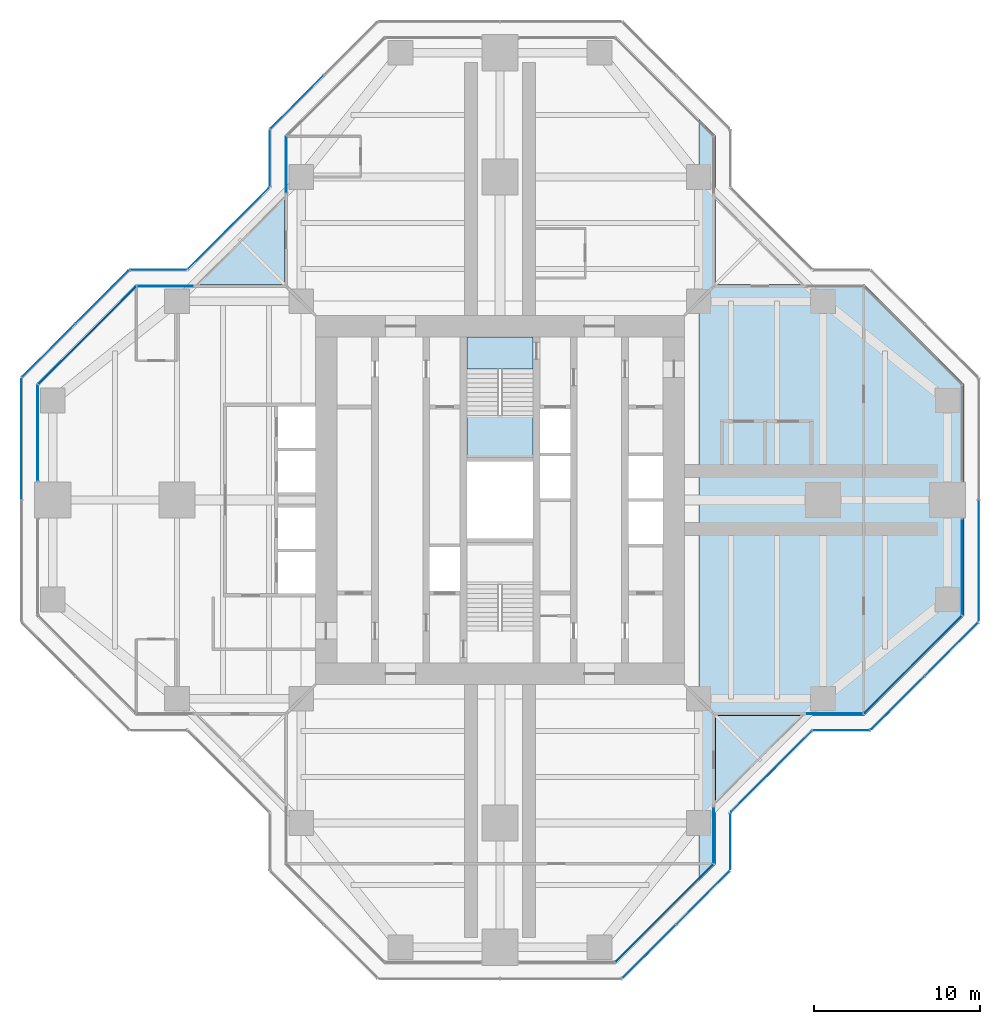
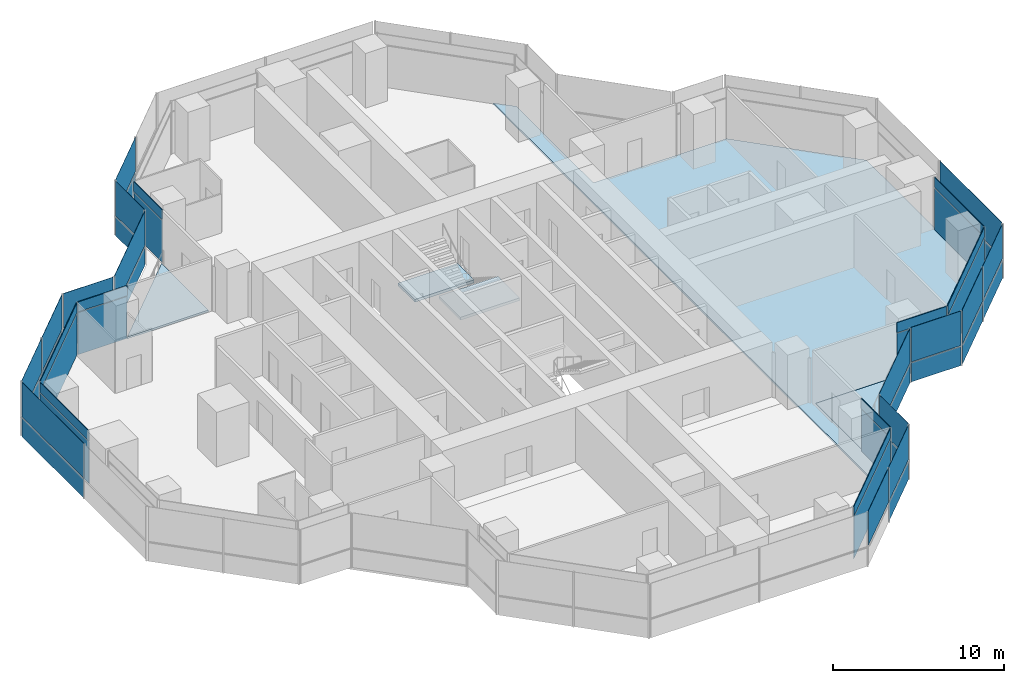
# One storey, part 11 of 17: 47 plates, 5 slabs, 22 elements without a shape of their own.
"""IFC4 building model written with IfcOpenShell, lengths in metres."""

from ifc_helpers import new_model, si_unit, direction, frame, origin, origin_2d, place, context, subcontext, project, spatial, polyline, rectangle, outline, extrude, material, layer, layer_set, type_object, element, aggregate, save


model = new_model("IFC4")

# Units and contexts
model_context = context("Model", 3, precision=1e-05, world=origin(), true_north=direction((0.0, 1.0)))
body_context = subcontext(model_context, "Body", "Model", "MODEL_VIEW")
ifc_project = project(units=[si_unit("LENGTHUNIT", "METRE"), si_unit("AREAUNIT", "SQUARE_METRE"), si_unit("VOLUMEUNIT", "CUBIC_METRE"), si_unit("PLANEANGLEUNIT", "RADIAN"), si_unit("MASSUNIT", "GRAM", prefix="KILO")], contexts=[model_context])

# Site, building, storey
site_placement = place(None, origin())
site = spatial("IfcSite", under=ifc_project, at=site_placement, CompositionType="ELEMENT")
building_placement = place(site_placement, origin())
building = spatial("IfcBuilding", under=site, at=building_placement, Name="Mizan Broadcast Tower", CompositionType="ELEMENT")
storey_placement = place(building_placement, frame((0.0, 0.0, 208.800048828125)))
storey = spatial("IfcBuildingStorey", under=building, at=storey_placement, Name="L48", CompositionType="ELEMENT", Elevation=208.800048828125)

# Slab
ifc_material_1 = material(Name="Concrete C32/40", Category="concrete")
ifc_layer_1 = layer(ifc_material_1, 0.1298828125)
ifc_layer_set_1 = layer_set([ifc_layer_1], Name="Concrete C32/40")
slab_type_1 = type_object("IfcSlabType", Name="COMPOSITE DECK SLAB 130", PredefinedType="FLOOR", material=ifc_layer_set_1)
slab_1_placement = place(storey_placement, frame((0.0, 0.0, -0.130126953125)))
element("IfcSlab", 1, at=slab_1_placement, inside=storey, type_object=slab_type_1, Name="Floor slab L48 east arm", PredefinedType="FLOOR", context=body_context, shape_type="SweptSolid", body=[
    extrude(outline(polyline([(13.0, 22.0), (12.0, 23.0), (12.0, -23.0), (13.0, -22.0), (13.0, -13.0), (22.0, -13.0), (28.0, -7.0), (28.0, 7.0), (22.0, 13.0), (13.0, 13.0), (13.0, 22.0)])), origin(), (0.0, 0.0, 1.0), 0.130126953125),
])

# Curtain wall, plate
ifc_material_2 = material(Name="Aluminium framed glazing", Category="aluminium")
curtain_wall_type_1 = type_object("IfcCurtainWallType", Name="INNER SKIN HIGH ZONE", PredefinedType="USERDEFINED", material=ifc_material_2)
curtain_wall_1_placement = place(storey_placement, origin())
curtain_wall_1 = element("IfcCurtainWall", 2, at=curtain_wall_1_placement, inside=storey, type_object=curtain_wall_type_1, Name="Inner skin high zone L48 E side", ObjectType="INNER SKIN HIGH ZONE", PredefinedType="USERDEFINED")
ifc_material_3 = material(Name="Double glazing, clear low-e", Category="glass")
ifc_layer_2 = layer(ifc_material_3, 0.028076171875)
ifc_layer_set_2 = layer_set([ifc_layer_2], Name="Double glazing, clear low-e")
plate_type_1 = type_object("IfcPlateType", Name="INNER SKIN GLAZING UNIT", PredefinedType="CURTAIN_PANEL", material=ifc_layer_set_2)
plate_1_placement = place(storey_placement, frame((20.229248046875, -12.89990234375, 0.0), z_axis=(0.0, 0.0, 1.0), x_axis=(1.0, 0.0, 0.0)))
plate_1 = element("IfcPlate", 3, at=plate_1_placement, type_object=plate_type_1, Name="Inner skin high zone L48 E side panel 1.1", PredefinedType="CURTAIN_PANEL", context=body_context, shape_type="SweptSolid", body=[
    extrude(rectangle(XDim=3.338623046875, YDim=0.028076171875, at=origin_2d()), origin(), (0.0, 0.0, 1.0), 3.0),
])

curtain_wall_2_placement = place(storey_placement, origin())
curtain_wall_2 = element("IfcCurtainWall", 4, at=curtain_wall_2_placement, inside=storey, type_object=curtain_wall_type_1, Name="Inner skin high zone L48 E chamfer", ObjectType="INNER SKIN HIGH ZONE", PredefinedType="USERDEFINED")
plate_2_placement = place(storey_placement, frame((24.92919921875, -9.92919921875, 0.0), z_axis=(0.0, 0.0, 1.0), x_axis=(0.707106781187, 0.707106781187, 0.0)))
plate_2 = element("IfcPlate", 5, at=plate_2_placement, type_object=plate_type_1, Name="Inner skin high zone L48 E chamfer panel 1.1", PredefinedType="CURTAIN_PANEL", context=body_context, shape_type="SweptSolid", body=[
    extrude(rectangle(XDim=8.282470703125, YDim=0.028076171875, at=origin_2d()), origin(), (0.0, 0.0, 1.0), 3.0),
])

curtain_wall_3_placement = place(storey_placement, origin())
curtain_wall_3 = element("IfcCurtainWall", 6, at=curtain_wall_3_placement, inside=storey, type_object=curtain_wall_type_1, Name="Inner skin high zone L48 E end", ObjectType="INNER SKIN HIGH ZONE", PredefinedType="USERDEFINED")
plate_3_placement = place(storey_placement, frame((27.89990234375, -4.029296875, 0.0), z_axis=(0.0, 0.0, 1.0), x_axis=(0.0, 1.0, 0.0)))
plate_3 = element("IfcPlate", 7, at=plate_3_placement, type_object=plate_type_1, Name="Inner skin high zone L48 E end panel 1.1", PredefinedType="CURTAIN_PANEL", context=body_context, shape_type="SweptSolid", body=[
    extrude(rectangle(XDim=5.738525390625, YDim=0.028076171875, at=origin_2d()), origin(), (0.0, 0.0, 1.0), 3.0),
])

curtain_wall_4_placement = place(storey_placement, origin())
curtain_wall_4 = element("IfcCurtainWall", 8, at=curtain_wall_4_placement, inside=storey, type_object=curtain_wall_type_1, Name="Inner skin high zone L48 N side", ObjectType="INNER SKIN HIGH ZONE", PredefinedType="USERDEFINED")
plate_4_placement = place(storey_placement, frame((-12.89990234375, 20.229248046875, 0.0), z_axis=(0.0, 0.0, 1.0), x_axis=(0.0, -1.0, 0.0)))
plate_4 = element("IfcPlate", 9, at=plate_4_placement, type_object=plate_type_1, Name="Inner skin high zone L48 N side panel 1.1", PredefinedType="CURTAIN_PANEL", context=body_context, shape_type="SweptSolid", body=[
    extrude(rectangle(XDim=3.338623046875, YDim=0.028076171875, at=origin_2d()), origin(), (0.0, 0.0, 1.0), 3.0),
])

curtain_wall_5_placement = place(storey_placement, origin())
curtain_wall_5 = element("IfcCurtainWall", 10, at=curtain_wall_5_placement, inside=storey, type_object=curtain_wall_type_1, Name="Inner skin high zone L48 W side", ObjectType="INNER SKIN HIGH ZONE", PredefinedType="USERDEFINED")
plate_5_placement = place(storey_placement, frame((-20.229248046875, 12.89990234375, 0.0), z_axis=(0.0, 0.0, 1.0), x_axis=(-1.0, 0.0, 0.0)))
plate_5 = element("IfcPlate", 11, at=plate_5_placement, type_object=plate_type_1, Name="Inner skin high zone L48 W side panel 1.1", PredefinedType="CURTAIN_PANEL", context=body_context, shape_type="SweptSolid", body=[
    extrude(rectangle(XDim=3.338623046875, YDim=0.028076171875, at=origin_2d()), origin(), (0.0, 0.0, 1.0), 3.0),
])

curtain_wall_6_placement = place(storey_placement, origin())
curtain_wall_6 = element("IfcCurtainWall", 12, at=curtain_wall_6_placement, inside=storey, type_object=curtain_wall_type_1, Name="Inner skin high zone L48 W chamfer", ObjectType="INNER SKIN HIGH ZONE", PredefinedType="USERDEFINED")
plate_6_placement = place(storey_placement, frame((-24.92919921875, 9.92919921875, 0.0), z_axis=(0.0, 0.0, 1.0), x_axis=(-0.707106781187, -0.707106781187, 0.0)))
plate_6 = element("IfcPlate", 13, at=plate_6_placement, type_object=plate_type_1, Name="Inner skin high zone L48 W chamfer panel 1.1", PredefinedType="CURTAIN_PANEL", context=body_context, shape_type="SweptSolid", body=[
    extrude(rectangle(XDim=8.282470703125, YDim=0.028076171875, at=origin_2d()), origin(), (0.0, 0.0, 1.0), 3.0),
])

curtain_wall_7_placement = place(storey_placement, origin())
curtain_wall_7 = element("IfcCurtainWall", 14, at=curtain_wall_7_placement, inside=storey, type_object=curtain_wall_type_1, Name="Inner skin high zone L48 W end", ObjectType="INNER SKIN HIGH ZONE", PredefinedType="USERDEFINED")
plate_7_placement = place(storey_placement, frame((-27.89990234375, 4.029296875, 0.0), z_axis=(0.0, 0.0, 1.0), x_axis=(0.0, -1.0, 0.0)))
plate_7 = element("IfcPlate", 15, at=plate_7_placement, type_object=plate_type_1, Name="Inner skin high zone L48 W end panel 1.1", PredefinedType="CURTAIN_PANEL", context=body_context, shape_type="SweptSolid", body=[
    extrude(rectangle(XDim=5.738525390625, YDim=0.028076171875, at=origin_2d()), origin(), (0.0, 0.0, 1.0), 3.0),
])

curtain_wall_8_placement = place(storey_placement, origin())
curtain_wall_8 = element("IfcCurtainWall", 16, at=curtain_wall_8_placement, inside=storey, type_object=curtain_wall_type_1, Name="Inner skin high zone L48 S chamfer", ObjectType="INNER SKIN HIGH ZONE", PredefinedType="USERDEFINED")
plate_8_placement = place(storey_placement, frame((9.92919921875, -24.92919921875, 0.0), z_axis=(0.0, 0.0, 1.0), x_axis=(0.707106781187, 0.707106781187, 0.0)))
plate_8 = element("IfcPlate", 17, at=plate_8_placement, type_object=plate_type_1, Name="Inner skin high zone L48 S chamfer panel 1.1", PredefinedType="CURTAIN_PANEL", context=body_context, shape_type="SweptSolid", body=[
    extrude(rectangle(XDim=8.282470703125, YDim=0.028076171875, at=origin_2d()), origin(), (0.0, 0.0, 1.0), 3.0),
])

curtain_wall_9_placement = place(storey_placement, origin())
curtain_wall_9 = element("IfcCurtainWall", 18, at=curtain_wall_9_placement, inside=storey, type_object=curtain_wall_type_1, Name="Inner skin high zone L48 S side", ObjectType="INNER SKIN HIGH ZONE", PredefinedType="USERDEFINED")
plate_9_placement = place(storey_placement, frame((12.89990234375, -20.229248046875, 0.0), z_axis=(0.0, 0.0, 1.0), x_axis=(0.0, 1.0, 0.0)))
plate_9 = element("IfcPlate", 19, at=plate_9_placement, type_object=plate_type_1, Name="Inner skin high zone L48 S side panel 1.1", PredefinedType="CURTAIN_PANEL", context=body_context, shape_type="SweptSolid", body=[
    extrude(rectangle(XDim=3.338623046875, YDim=0.028076171875, at=origin_2d()), origin(), (0.0, 0.0, 1.0), 3.0),
])

# Plate
ifc_material_4 = material(Name="Insulated aluminium spandrel panel, pale anodised", Category="aluminium")
ifc_layer_3 = layer(ifc_material_4, 0.050048828125)
ifc_layer_set_3 = layer_set([ifc_layer_3], Name="Insulated aluminium spandrel panel, pale anodised")
plate_type_2 = type_object("IfcPlateType", Name="INNER SKIN SPANDREL PANEL", PredefinedType="CURTAIN_PANEL", material=ifc_layer_set_3)
plate_10_placement = place(storey_placement, frame((20.229248046875, -12.89990234375, 3.06005859375), z_axis=(0.0, 0.0, 1.0), x_axis=(1.0, 0.0, 0.0)))
plate_10 = element("IfcPlate", 20, at=plate_10_placement, type_object=plate_type_2, Name="Inner skin high zone L48 E side panel 1.2", PredefinedType="CURTAIN_PANEL", context=body_context, shape_type="SweptSolid", body=[
    extrude(rectangle(XDim=3.338623046875, YDim=0.050048828125, at=origin_2d()), origin(), (0.0, 0.0, 1.0), 0.7099609375),
])

aggregate(curtain_wall_1, [plate_1, plate_10])

plate_11_placement = place(storey_placement, frame((24.92919921875, -9.92919921875, 3.06005859375), z_axis=(0.0, 0.0, 1.0), x_axis=(0.707106781187, 0.707106781187, 0.0)))
plate_11 = element("IfcPlate", 21, at=plate_11_placement, type_object=plate_type_2, Name="Inner skin high zone L48 E chamfer panel 1.2", PredefinedType="CURTAIN_PANEL", context=body_context, shape_type="SweptSolid", body=[
    extrude(rectangle(XDim=8.282470703125, YDim=0.050048828125, at=origin_2d()), origin(), (0.0, 0.0, 1.0), 0.7099609375),
])

aggregate(curtain_wall_2, [plate_2, plate_11])

plate_12_placement = place(storey_placement, frame((27.89990234375, -4.029296875, 3.06005859375), z_axis=(0.0, 0.0, 1.0), x_axis=(0.0, 1.0, 0.0)))
plate_12 = element("IfcPlate", 22, at=plate_12_placement, type_object=plate_type_2, Name="Inner skin high zone L48 E end panel 1.2", PredefinedType="CURTAIN_PANEL", context=body_context, shape_type="SweptSolid", body=[
    extrude(rectangle(XDim=5.738525390625, YDim=0.050048828125, at=origin_2d()), origin(), (0.0, 0.0, 1.0), 0.7099609375),
])

aggregate(curtain_wall_3, [plate_3, plate_12])

plate_13_placement = place(storey_placement, frame((-12.89990234375, 20.229248046875, 3.06005859375), z_axis=(0.0, 0.0, 1.0), x_axis=(0.0, -1.0, 0.0)))
plate_13 = element("IfcPlate", 23, at=plate_13_placement, type_object=plate_type_2, Name="Inner skin high zone L48 N side panel 1.2", PredefinedType="CURTAIN_PANEL", context=body_context, shape_type="SweptSolid", body=[
    extrude(rectangle(XDim=3.338623046875, YDim=0.050048828125, at=origin_2d()), origin(), (0.0, 0.0, 1.0), 0.7099609375),
])

aggregate(curtain_wall_4, [plate_4, plate_13])

plate_14_placement = place(storey_placement, frame((-20.229248046875, 12.89990234375, 3.06005859375), z_axis=(0.0, 0.0, 1.0), x_axis=(-1.0, 0.0, 0.0)))
plate_14 = element("IfcPlate", 24, at=plate_14_placement, type_object=plate_type_2, Name="Inner skin high zone L48 W side panel 1.2", PredefinedType="CURTAIN_PANEL", context=body_context, shape_type="SweptSolid", body=[
    extrude(rectangle(XDim=3.338623046875, YDim=0.050048828125, at=origin_2d()), origin(), (0.0, 0.0, 1.0), 0.7099609375),
])

aggregate(curtain_wall_5, [plate_5, plate_14])

plate_15_placement = place(storey_placement, frame((-24.92919921875, 9.92919921875, 3.06005859375), z_axis=(0.0, 0.0, 1.0), x_axis=(-0.707106781187, -0.707106781187, 0.0)))
plate_15 = element("IfcPlate", 25, at=plate_15_placement, type_object=plate_type_2, Name="Inner skin high zone L48 W chamfer panel 1.2", PredefinedType="CURTAIN_PANEL", context=body_context, shape_type="SweptSolid", body=[
    extrude(rectangle(XDim=8.282470703125, YDim=0.050048828125, at=origin_2d()), origin(), (0.0, 0.0, 1.0), 0.7099609375),
])

aggregate(curtain_wall_6, [plate_6, plate_15])

plate_16_placement = place(storey_placement, frame((-27.89990234375, 4.029296875, 3.06005859375), z_axis=(0.0, 0.0, 1.0), x_axis=(0.0, -1.0, 0.0)))
plate_16 = element("IfcPlate", 26, at=plate_16_placement, type_object=plate_type_2, Name="Inner skin high zone L48 W end panel 1.2", PredefinedType="CURTAIN_PANEL", context=body_context, shape_type="SweptSolid", body=[
    extrude(rectangle(XDim=5.738525390625, YDim=0.050048828125, at=origin_2d()), origin(), (0.0, 0.0, 1.0), 0.7099609375),
])

aggregate(curtain_wall_7, [plate_7, plate_16])

plate_17_placement = place(storey_placement, frame((9.92919921875, -24.92919921875, 3.06005859375), z_axis=(0.0, 0.0, 1.0), x_axis=(0.707106781187, 0.707106781187, 0.0)))
plate_17 = element("IfcPlate", 27, at=plate_17_placement, type_object=plate_type_2, Name="Inner skin high zone L48 S chamfer panel 1.2", PredefinedType="CURTAIN_PANEL", context=body_context, shape_type="SweptSolid", body=[
    extrude(rectangle(XDim=8.282470703125, YDim=0.050048828125, at=origin_2d()), origin(), (0.0, 0.0, 1.0), 0.7099609375),
])

aggregate(curtain_wall_8, [plate_8, plate_17])

plate_18_placement = place(storey_placement, frame((12.89990234375, -20.229248046875, 3.06005859375), z_axis=(0.0, 0.0, 1.0), x_axis=(0.0, 1.0, 0.0)))
plate_18 = element("IfcPlate", 28, at=plate_18_placement, type_object=plate_type_2, Name="Inner skin high zone L48 S side panel 1.2", PredefinedType="CURTAIN_PANEL", context=body_context, shape_type="SweptSolid", body=[
    extrude(rectangle(XDim=3.338623046875, YDim=0.050048828125, at=origin_2d()), origin(), (0.0, 0.0, 1.0), 0.7099609375),
])

aggregate(curtain_wall_9, [plate_9, plate_18])

# Curtain wall, plates
ifc_material_5 = material(Name="Aluminium framed glazing", Category="aluminium")
curtain_wall_type_2 = type_object("IfcCurtainWallType", Name="OUTER SKIN", PredefinedType="USERDEFINED", material=ifc_material_5)
curtain_wall_10_placement = place(storey_placement, origin())
curtain_wall_10 = element("IfcCurtainWall", 29, at=curtain_wall_10_placement, inside=storey, type_object=curtain_wall_type_2, Name="Outer skin L48 E chamfer", ObjectType="OUTER SKIN", PredefinedType="USERDEFINED")
ifc_material_6 = material(Name="Laminated clear glass", Category="glass")
ifc_layer_4 = layer(ifc_material_6, 0.02001953125)
ifc_layer_set_4 = layer_set([ifc_layer_4], Name="Laminated clear glass")
plate_type_3 = type_object("IfcPlateType", Name="OUTER SKIN CLEAR GLASS", PredefinedType="CURTAIN_PANEL", material=ifc_layer_set_4)
plate_19_placement = place(storey_placement, frame((24.018798828125, -12.254150390625, 0.0), z_axis=(0.0, 0.0, 1.0), x_axis=(0.707106781187, 0.707106781187, 0.0)))
plate_19 = element("IfcPlate", 30, at=plate_19_placement, type_object=plate_type_3, Name="Outer skin L48 E chamfer panel 1.1", PredefinedType="CURTAIN_PANEL", context=body_context, shape_type="SweptSolid", body=[
    extrude(rectangle(XDim=4.495361328125, YDim=0.02001953125, at=origin_2d()), origin(), (0.0, 0.0, 1.0), 1.3701171875),
])
plate_20_placement = place(storey_placement, frame((24.018798828125, -12.254150390625, 1.43017578125), z_axis=(0.0, 0.0, 1.0), x_axis=(0.707106781187, 0.707106781187, 0.0)))
plate_20 = element("IfcPlate", 31, at=plate_20_placement, type_object=plate_type_3, Name="Outer skin L48 E chamfer panel 1.2", PredefinedType="CURTAIN_PANEL", context=body_context, shape_type="SweptSolid", body=[
    extrude(rectangle(XDim=4.495361328125, YDim=0.02001953125, at=origin_2d()), origin(), (0.0, 0.0, 1.0), 2.469970703125),
])

curtain_wall_11_placement = place(storey_placement, origin())
curtain_wall_11 = element("IfcCurtainWall", 32, at=curtain_wall_11_placement, inside=storey, type_object=curtain_wall_type_2, Name="Outer skin L48 E end", ObjectType="OUTER SKIN", PredefinedType="USERDEFINED")
plate_21_placement = place(storey_placement, frame((28.89990234375, -3.66650390625, 0.0), z_axis=(0.0, 0.0, 1.0), x_axis=(0.0, 1.0, 0.0)))
plate_21 = element("IfcPlate", 33, at=plate_21_placement, type_object=plate_type_3, Name="Outer skin L48 E end panel 1.1", PredefinedType="CURTAIN_PANEL", context=body_context, shape_type="SweptSolid", body=[
    extrude(rectangle(XDim=7.252685546875, YDim=0.02001953125, at=origin_2d()), origin(), (0.0, 0.0, 1.0), 1.3701171875),
])
plate_22_placement = place(storey_placement, frame((28.89990234375, -3.66650390625, 1.43017578125), z_axis=(0.0, 0.0, 1.0), x_axis=(0.0, 1.0, 0.0)))
plate_22 = element("IfcPlate", 34, at=plate_22_placement, type_object=plate_type_3, Name="Outer skin L48 E end panel 1.2", PredefinedType="CURTAIN_PANEL", context=body_context, shape_type="SweptSolid", body=[
    extrude(rectangle(XDim=7.252685546875, YDim=0.02001953125, at=origin_2d()), origin(), (0.0, 0.0, 1.0), 2.469970703125),
])
aggregate(curtain_wall_11, [plate_21, plate_22])

curtain_wall_12_placement = place(storey_placement, origin())
curtain_wall_12 = element("IfcCurtainWall", 35, at=curtain_wall_12_placement, inside=storey, type_object=curtain_wall_type_2, Name="Outer skin L48 N side", ObjectType="OUTER SKIN", PredefinedType="USERDEFINED")
plate_23_placement = place(storey_placement, frame((-13.89990234375, 20.622802734375, 0.0), z_axis=(0.0, 0.0, 1.0), x_axis=(0.0, -1.0, 0.0)))
plate_23 = element("IfcPlate", 36, at=plate_23_placement, type_object=plate_type_3, Name="Outer skin L48 N side panel 1.1", PredefinedType="CURTAIN_PANEL", context=body_context, shape_type="SweptSolid", body=[
    extrude(rectangle(XDim=3.340087890625, YDim=0.02001953125, at=origin_2d()), origin(), (0.0, 0.0, 1.0), 1.3701171875),
])
plate_24_placement = place(storey_placement, frame((-13.89990234375, 20.622802734375, 1.43017578125), z_axis=(0.0, 0.0, 1.0), x_axis=(0.0, -1.0, 0.0)))
plate_24 = element("IfcPlate", 37, at=plate_24_placement, type_object=plate_type_3, Name="Outer skin L48 N side panel 1.2", PredefinedType="CURTAIN_PANEL", context=body_context, shape_type="SweptSolid", body=[
    extrude(rectangle(XDim=3.340087890625, YDim=0.02001953125, at=origin_2d()), origin(), (0.0, 0.0, 1.0), 2.469970703125),
])
aggregate(curtain_wall_12, [plate_23, plate_24])

curtain_wall_13_placement = place(storey_placement, origin())
curtain_wall_13 = element("IfcCurtainWall", 38, at=curtain_wall_13_placement, inside=storey, type_object=curtain_wall_type_2, Name="Outer skin L48 W chamfer", ObjectType="OUTER SKIN", PredefinedType="USERDEFINED")
plate_25_placement = place(storey_placement, frame((-16.386474609375, 16.386474609375, 0.0), z_axis=(0.0, 0.0, 1.0), x_axis=(-0.707106781187, -0.707106781187, 0.0)))
plate_25 = element("IfcPlate", 39, at=plate_25_placement, type_object=plate_type_3, Name="Outer skin L48 W chamfer panel 1.1", PredefinedType="CURTAIN_PANEL", context=body_context, shape_type="SweptSolid", body=[
    extrude(rectangle(XDim=6.87255859375, YDim=0.02001953125, at=origin_2d()), origin(), (0.0, 0.0, 1.0), 1.3701171875),
])
plate_26_placement = place(storey_placement, frame((-16.386474609375, 16.386474609375, 1.43017578125), z_axis=(0.0, 0.0, 1.0), x_axis=(-0.707106781187, -0.707106781187, 0.0)))
plate_26 = element("IfcPlate", 40, at=plate_26_placement, type_object=plate_type_3, Name="Outer skin L48 W chamfer panel 1.2", PredefinedType="CURTAIN_PANEL", context=body_context, shape_type="SweptSolid", body=[
    extrude(rectangle(XDim=6.87255859375, YDim=0.02001953125, at=origin_2d()), origin(), (0.0, 0.0, 1.0), 2.469970703125),
])
aggregate(curtain_wall_13, [plate_25, plate_26])

curtain_wall_14_placement = place(storey_placement, origin())
curtain_wall_14 = element("IfcCurtainWall", 41, at=curtain_wall_14_placement, inside=storey, type_object=curtain_wall_type_2, Name="Outer skin L48 W side", ObjectType="OUTER SKIN", PredefinedType="USERDEFINED")
plate_27_placement = place(storey_placement, frame((-20.622802734375, 13.89990234375, 0.0), z_axis=(0.0, 0.0, 1.0), x_axis=(-1.0, 0.0, 0.0)))
plate_27 = element("IfcPlate", 42, at=plate_27_placement, type_object=plate_type_3, Name="Outer skin L48 W side panel 1.1", PredefinedType="CURTAIN_PANEL", context=body_context, shape_type="SweptSolid", body=[
    extrude(rectangle(XDim=3.340087890625, YDim=0.02001953125, at=origin_2d()), origin(), (0.0, 0.0, 1.0), 1.3701171875),
])
plate_28_placement = place(storey_placement, frame((-20.622802734375, 13.89990234375, 1.43017578125), z_axis=(0.0, 0.0, 1.0), x_axis=(-1.0, 0.0, 0.0)))
plate_28 = element("IfcPlate", 43, at=plate_28_placement, type_object=plate_type_3, Name="Outer skin L48 W side panel 1.2", PredefinedType="CURTAIN_PANEL", context=body_context, shape_type="SweptSolid", body=[
    extrude(rectangle(XDim=3.340087890625, YDim=0.02001953125, at=origin_2d()), origin(), (0.0, 0.0, 1.0), 2.469970703125),
])
aggregate(curtain_wall_14, [plate_27, plate_28])

curtain_wall_15_placement = place(storey_placement, origin())
curtain_wall_15 = element("IfcCurtainWall", 44, at=curtain_wall_15_placement, inside=storey, type_object=curtain_wall_type_2, Name="Outer skin L48 W chamfer", ObjectType="OUTER SKIN", PredefinedType="USERDEFINED")
plate_29_placement = place(storey_placement, frame((-24.018798828125, 12.254150390625, 0.0), z_axis=(0.0, 0.0, 1.0), x_axis=(-0.707106781187, -0.707106781187, 0.0)))
plate_29 = element("IfcPlate", 45, at=plate_29_placement, type_object=plate_type_3, Name="Outer skin L48 W chamfer panel 1.1", PredefinedType="CURTAIN_PANEL", context=body_context, shape_type="SweptSolid", body=[
    extrude(rectangle(XDim=4.495361328125, YDim=0.02001953125, at=origin_2d()), origin(), (0.0, 0.0, 1.0), 1.3701171875),
])
plate_30_placement = place(storey_placement, frame((-24.018798828125, 12.254150390625, 1.43017578125), z_axis=(0.0, 0.0, 1.0), x_axis=(-0.707106781187, -0.707106781187, 0.0)))
plate_30 = element("IfcPlate", 46, at=plate_30_placement, type_object=plate_type_3, Name="Outer skin L48 W chamfer panel 1.2", PredefinedType="CURTAIN_PANEL", context=body_context, shape_type="SweptSolid", body=[
    extrude(rectangle(XDim=4.495361328125, YDim=0.02001953125, at=origin_2d()), origin(), (0.0, 0.0, 1.0), 2.469970703125),
])

curtain_wall_16_placement = place(storey_placement, origin())
curtain_wall_16 = element("IfcCurtainWall", 47, at=curtain_wall_16_placement, inside=storey, type_object=curtain_wall_type_2, Name="Outer skin L48 W end", ObjectType="OUTER SKIN", PredefinedType="USERDEFINED")
plate_31_placement = place(storey_placement, frame((-28.89990234375, 3.66650390625, 0.0), z_axis=(0.0, 0.0, 1.0), x_axis=(0.0, -1.0, 0.0)))
plate_31 = element("IfcPlate", 48, at=plate_31_placement, type_object=plate_type_3, Name="Outer skin L48 W end panel 1.1", PredefinedType="CURTAIN_PANEL", context=body_context, shape_type="SweptSolid", body=[
    extrude(rectangle(XDim=7.252685546875, YDim=0.02001953125, at=origin_2d()), origin(), (0.0, 0.0, 1.0), 1.3701171875),
])
plate_32_placement = place(storey_placement, frame((-28.89990234375, 3.66650390625, 1.43017578125), z_axis=(0.0, 0.0, 1.0), x_axis=(0.0, -1.0, 0.0)))
plate_32 = element("IfcPlate", 49, at=plate_32_placement, type_object=plate_type_3, Name="Outer skin L48 W end panel 1.2", PredefinedType="CURTAIN_PANEL", context=body_context, shape_type="SweptSolid", body=[
    extrude(rectangle(XDim=7.252685546875, YDim=0.02001953125, at=origin_2d()), origin(), (0.0, 0.0, 1.0), 2.469970703125),
])
aggregate(curtain_wall_16, [plate_31, plate_32])

# Curtain wall, plate
curtain_wall_17_placement = place(storey_placement, origin())
curtain_wall_17 = element("IfcCurtainWall", 50, at=curtain_wall_17_placement, inside=storey, type_object=curtain_wall_type_2, Name="Outer skin L48 S chamfer", ObjectType="OUTER SKIN", PredefinedType="USERDEFINED")
plate_33_placement = place(storey_placement, frame((9.018798828125, -27.254150390625, 1.43017578125), z_axis=(0.0, 0.0, 1.0), x_axis=(0.707106781187, 0.707106781187, 0.0)))
plate_33 = element("IfcPlate", 51, at=plate_33_placement, type_object=plate_type_3, Name="Outer skin L48 S chamfer panel 1.2", PredefinedType="CURTAIN_PANEL", context=body_context, shape_type="SweptSolid", body=[
    extrude(rectangle(XDim=4.495361328125, YDim=0.02001953125, at=origin_2d()), origin(), (0.0, 0.0, 1.0), 2.469970703125),
])

# Curtain wall, plates
curtain_wall_18_placement = place(storey_placement, origin())
curtain_wall_18 = element("IfcCurtainWall", 52, at=curtain_wall_18_placement, inside=storey, type_object=curtain_wall_type_2, Name="Outer skin L48 S side", ObjectType="OUTER SKIN", PredefinedType="USERDEFINED")
plate_34_placement = place(storey_placement, frame((13.89990234375, -20.622802734375, 0.0), z_axis=(0.0, 0.0, 1.0), x_axis=(0.0, 1.0, 0.0)))
plate_34 = element("IfcPlate", 53, at=plate_34_placement, type_object=plate_type_3, Name="Outer skin L48 S side panel 1.1", PredefinedType="CURTAIN_PANEL", context=body_context, shape_type="SweptSolid", body=[
    extrude(rectangle(XDim=3.340087890625, YDim=0.02001953125, at=origin_2d()), origin(), (0.0, 0.0, 1.0), 1.3701171875),
])
plate_35_placement = place(storey_placement, frame((13.89990234375, -20.622802734375, 1.43017578125), z_axis=(0.0, 0.0, 1.0), x_axis=(0.0, 1.0, 0.0)))
plate_35 = element("IfcPlate", 54, at=plate_35_placement, type_object=plate_type_3, Name="Outer skin L48 S side panel 1.2", PredefinedType="CURTAIN_PANEL", context=body_context, shape_type="SweptSolid", body=[
    extrude(rectangle(XDim=3.340087890625, YDim=0.02001953125, at=origin_2d()), origin(), (0.0, 0.0, 1.0), 2.469970703125),
])
aggregate(curtain_wall_18, [plate_34, plate_35])

curtain_wall_19_placement = place(storey_placement, origin())
curtain_wall_19 = element("IfcCurtainWall", 55, at=curtain_wall_19_placement, inside=storey, type_object=curtain_wall_type_2, Name="Outer skin L48 E chamfer", ObjectType="OUTER SKIN", PredefinedType="USERDEFINED")
plate_36_placement = place(storey_placement, frame((16.386474609375, -16.386474609375, 0.0), z_axis=(0.0, 0.0, 1.0), x_axis=(0.707106781187, 0.707106781187, 0.0)))
plate_36 = element("IfcPlate", 56, at=plate_36_placement, type_object=plate_type_3, Name="Outer skin L48 E chamfer panel 1.1", PredefinedType="CURTAIN_PANEL", context=body_context, shape_type="SweptSolid", body=[
    extrude(rectangle(XDim=6.87255859375, YDim=0.02001953125, at=origin_2d()), origin(), (0.0, 0.0, 1.0), 1.3701171875),
])
plate_37_placement = place(storey_placement, frame((16.386474609375, -16.386474609375, 1.43017578125), z_axis=(0.0, 0.0, 1.0), x_axis=(0.707106781187, 0.707106781187, 0.0)))
plate_37 = element("IfcPlate", 57, at=plate_37_placement, type_object=plate_type_3, Name="Outer skin L48 E chamfer panel 1.2", PredefinedType="CURTAIN_PANEL", context=body_context, shape_type="SweptSolid", body=[
    extrude(rectangle(XDim=6.87255859375, YDim=0.02001953125, at=origin_2d()), origin(), (0.0, 0.0, 1.0), 2.469970703125),
])
aggregate(curtain_wall_19, [plate_36, plate_37])

curtain_wall_20_placement = place(storey_placement, origin())
curtain_wall_20 = element("IfcCurtainWall", 58, at=curtain_wall_20_placement, inside=storey, type_object=curtain_wall_type_2, Name="Outer skin L48 E side", ObjectType="OUTER SKIN", PredefinedType="USERDEFINED")
plate_38_placement = place(storey_placement, frame((20.622802734375, -13.89990234375, 0.0), z_axis=(0.0, 0.0, 1.0), x_axis=(1.0, 0.0, 0.0)))
plate_38 = element("IfcPlate", 59, at=plate_38_placement, type_object=plate_type_3, Name="Outer skin L48 E side panel 1.1", PredefinedType="CURTAIN_PANEL", context=body_context, shape_type="SweptSolid", body=[
    extrude(rectangle(XDim=3.340087890625, YDim=0.02001953125, at=origin_2d()), origin(), (0.0, 0.0, 1.0), 1.3701171875),
])
plate_39_placement = place(storey_placement, frame((20.622802734375, -13.89990234375, 1.43017578125), z_axis=(0.0, 0.0, 1.0), x_axis=(1.0, 0.0, 0.0)))
plate_39 = element("IfcPlate", 60, at=plate_39_placement, type_object=plate_type_3, Name="Outer skin L48 E side panel 1.2", PredefinedType="CURTAIN_PANEL", context=body_context, shape_type="SweptSolid", body=[
    extrude(rectangle(XDim=3.340087890625, YDim=0.02001953125, at=origin_2d()), origin(), (0.0, 0.0, 1.0), 2.469970703125),
])
aggregate(curtain_wall_20, [plate_38, plate_39])

# Plate
ifc_material_7 = material(Name="Perforated aluminium, pale anodised", Category="aluminium")
ifc_layer_5 = layer(ifc_material_7, 0.011962890625)
ifc_layer_set_5 = layer_set([ifc_layer_5], Name="Perforated aluminium, pale anodised")
plate_type_4 = type_object("IfcPlateType", Name="OUTER SKIN PERFORATED SCREEN", PredefinedType="USERDEFINED", material=ifc_layer_set_5)
plate_40_placement = place(storey_placement, frame((27.254150390625, -9.018798828125, 0.0), z_axis=(0.0, 0.0, 1.0), x_axis=(0.707106781187, 0.707106781187, 0.0)))
plate_40 = element("IfcPlate", 61, at=plate_40_placement, type_object=plate_type_4, Name="Outer skin L48 E chamfer panel 2.1", ObjectType="SCREEN", PredefinedType="USERDEFINED", context=body_context, shape_type="SweptSolid", body=[
    extrude(rectangle(XDim=4.495361328125, YDim=0.011962890625, at=origin_2d()), origin(), (0.0, 0.0, 1.0), 1.3701171875),
])

plate_41_placement = place(storey_placement, frame((27.254150390625, -9.018798828125, 1.43017578125), z_axis=(0.0, 0.0, 1.0), x_axis=(0.707106781187, 0.707106781187, 0.0)))
plate_41 = element("IfcPlate", 62, at=plate_41_placement, type_object=plate_type_4, Name="Outer skin L48 E chamfer panel 2.2", ObjectType="SCREEN", PredefinedType="USERDEFINED", context=body_context, shape_type="SweptSolid", body=[
    extrude(rectangle(XDim=4.495361328125, YDim=0.011962890625, at=origin_2d()), origin(), (0.0, 0.0, 1.0), 2.469970703125),
])

aggregate(curtain_wall_10, [plate_19, plate_20, plate_40, plate_41])

# Curtain wall, plates
curtain_wall_21_placement = place(storey_placement, origin())
curtain_wall_21 = element("IfcCurtainWall", 63, at=curtain_wall_21_placement, inside=storey, type_object=curtain_wall_type_2, Name="Outer skin L48 N chamfer", ObjectType="OUTER SKIN", PredefinedType="USERDEFINED")
plate_42_placement = place(storey_placement, frame((-12.254150390625, 24.018798828125, 0.0), z_axis=(0.0, 0.0, 1.0), x_axis=(-0.707106781187, -0.707106781187, 0.0)))
plate_42 = element("IfcPlate", 64, at=plate_42_placement, type_object=plate_type_4, Name="Outer skin L48 N chamfer panel 2.1", ObjectType="SCREEN", PredefinedType="USERDEFINED", context=body_context, shape_type="SweptSolid", body=[
    extrude(rectangle(XDim=4.495361328125, YDim=0.011962890625, at=origin_2d()), origin(), (0.0, 0.0, 1.0), 1.3701171875),
])
plate_43_placement = place(storey_placement, frame((-12.254150390625, 24.018798828125, 1.43017578125), z_axis=(0.0, 0.0, 1.0), x_axis=(-0.707106781187, -0.707106781187, 0.0)))
plate_43 = element("IfcPlate", 65, at=plate_43_placement, type_object=plate_type_4, Name="Outer skin L48 N chamfer panel 2.2", ObjectType="SCREEN", PredefinedType="USERDEFINED", context=body_context, shape_type="SweptSolid", body=[
    extrude(rectangle(XDim=4.495361328125, YDim=0.011962890625, at=origin_2d()), origin(), (0.0, 0.0, 1.0), 2.469970703125),
])
aggregate(curtain_wall_21, [plate_42, plate_43])

# Plate
plate_44_placement = place(storey_placement, frame((-27.254150390625, 9.018798828125, 0.0), z_axis=(0.0, 0.0, 1.0), x_axis=(-0.707106781187, -0.707106781187, 0.0)))
plate_44 = element("IfcPlate", 66, at=plate_44_placement, type_object=plate_type_4, Name="Outer skin L48 W chamfer panel 2.1", ObjectType="SCREEN", PredefinedType="USERDEFINED", context=body_context, shape_type="SweptSolid", body=[
    extrude(rectangle(XDim=4.495361328125, YDim=0.011962890625, at=origin_2d()), origin(), (0.0, 0.0, 1.0), 1.3701171875),
])

plate_45_placement = place(storey_placement, frame((-27.254150390625, 9.018798828125, 1.43017578125), z_axis=(0.0, 0.0, 1.0), x_axis=(-0.707106781187, -0.707106781187, 0.0)))
plate_45 = element("IfcPlate", 67, at=plate_45_placement, type_object=plate_type_4, Name="Outer skin L48 W chamfer panel 2.2", ObjectType="SCREEN", PredefinedType="USERDEFINED", context=body_context, shape_type="SweptSolid", body=[
    extrude(rectangle(XDim=4.495361328125, YDim=0.011962890625, at=origin_2d()), origin(), (0.0, 0.0, 1.0), 2.469970703125),
])

aggregate(curtain_wall_15, [plate_29, plate_30, plate_44, plate_45])

plate_46_placement = place(storey_placement, frame((12.254150390625, -24.018798828125, 0.0), z_axis=(0.0, 0.0, 1.0), x_axis=(0.707106781187, 0.707106781187, 0.0)))
plate_46 = element("IfcPlate", 68, at=plate_46_placement, type_object=plate_type_4, Name="Outer skin L48 S chamfer panel 2.1", ObjectType="SCREEN", PredefinedType="USERDEFINED", context=body_context, shape_type="SweptSolid", body=[
    extrude(rectangle(XDim=4.495361328125, YDim=0.011962890625, at=origin_2d()), origin(), (0.0, 0.0, 1.0), 1.3701171875),
])

plate_47_placement = place(storey_placement, frame((12.254150390625, -24.018798828125, 1.43017578125), z_axis=(0.0, 0.0, 1.0), x_axis=(0.707106781187, 0.707106781187, 0.0)))
plate_47 = element("IfcPlate", 69, at=plate_47_placement, type_object=plate_type_4, Name="Outer skin L48 S chamfer panel 2.2", ObjectType="SCREEN", PredefinedType="USERDEFINED", context=body_context, shape_type="SweptSolid", body=[
    extrude(rectangle(XDim=4.495361328125, YDim=0.011962890625, at=origin_2d()), origin(), (0.0, 0.0, 1.0), 2.469970703125),
])

aggregate(curtain_wall_17, [plate_33, plate_46, plate_47])

# Stair, slabs
ifc_material_8 = material(Name="Concrete C40/50", Category="concrete")
stair_type = type_object("IfcStairType", Name="EXIT STAIR", PredefinedType="HALF_TURN_STAIR", material=ifc_material_8)
stair_placement = place(storey_placement, origin())
stair = element("IfcStair", 70, at=stair_placement, inside=storey, type_object=stair_type, Name="Stair B L48", PredefinedType="HALF_TURN_STAIR")
ifc_material_9 = material(Name="Concrete C40/50", Category="concrete")
ifc_layer_6 = layer(ifc_material_9, 0.199951171875)
ifc_layer_set_6 = layer_set([ifc_layer_6], Name="Concrete C40/50")
slab_type_2 = type_object("IfcSlabType", Name="STAIR LANDING 200", PredefinedType="LANDING", material=ifc_layer_set_6)
slab_2_placement = place(storey_placement, frame((0.0, 0.0, -0.199951171875)))
slab_2 = element("IfcSlab", 71, at=slab_2_placement, type_object=slab_type_2, Name="B landing 1", PredefinedType="LANDING", context=body_context, shape_type="SweptSolid", body=[
    extrude(outline(polyline([(2.0, 9.85009765625), (2.0, 7.89990234375), (-2.0, 7.89990234375), (-2.0, 9.85009765625), (2.0, 9.85009765625)])), origin(), (0.0, 0.0, 1.0), 0.199951171875),
])
slab_3_placement = place(storey_placement, frame((0.0, 0.0, 1.75)))
slab_3 = element("IfcSlab", 72, at=slab_3_placement, type_object=slab_type_2, Name="B landing 2", PredefinedType="LANDING", context=body_context, shape_type="SweptSolid", body=[
    extrude(outline(polyline([(2.0, 5.10009765625), (2.0, 2.574951171875), (-2.0, 2.574951171875), (-2.0, 5.10009765625), (2.0, 5.10009765625)])), origin(), (0.0, 0.0, 1.0), 0.199951171875),
])
aggregate(stair, [slab_2, slab_3])

# Slabs
ifc_material_10 = material(Name="Concrete C32/40", Category="concrete")
ifc_layer_7 = layer(ifc_material_10, 0.1298828125)
ifc_layer_set_7 = layer_set([ifc_layer_7], Name="Concrete C32/40")
slab_type_3 = type_object("IfcSlabType", Name="WINTER GARDEN SLAB 130", PredefinedType="FLOOR", material=ifc_layer_set_7)
slab_4_placement = place(storey_placement, frame((0.0, 0.0, -0.130126953125)))
element("IfcSlab", 73, at=slab_4_placement, inside=storey, type_object=slab_type_3, Name="Winter garden slab L48 N", PredefinedType="FLOOR", context=body_context, shape_type="SweptSolid", body=[
    extrude(outline(polyline([(-13.0, 13.0), (-13.0, 18.5), (-18.5, 13.0), (-13.0, 13.0)])), origin(), (0.0, 0.0, 1.0), 0.130126953125),
])
slab_5_placement = place(storey_placement, frame((0.0, 0.0, -0.130126953125)))
element("IfcSlab", 74, at=slab_5_placement, inside=storey, type_object=slab_type_3, Name="Winter garden slab L48 S", PredefinedType="FLOOR", context=body_context, shape_type="SweptSolid", body=[
    extrude(outline(polyline([(13.0, -13.0), (13.0, -18.5), (18.5, -13.0), (13.0, -13.0)])), origin(), (0.0, 0.0, 1.0), 0.130126953125),
])

save(model, "model.ifc")
